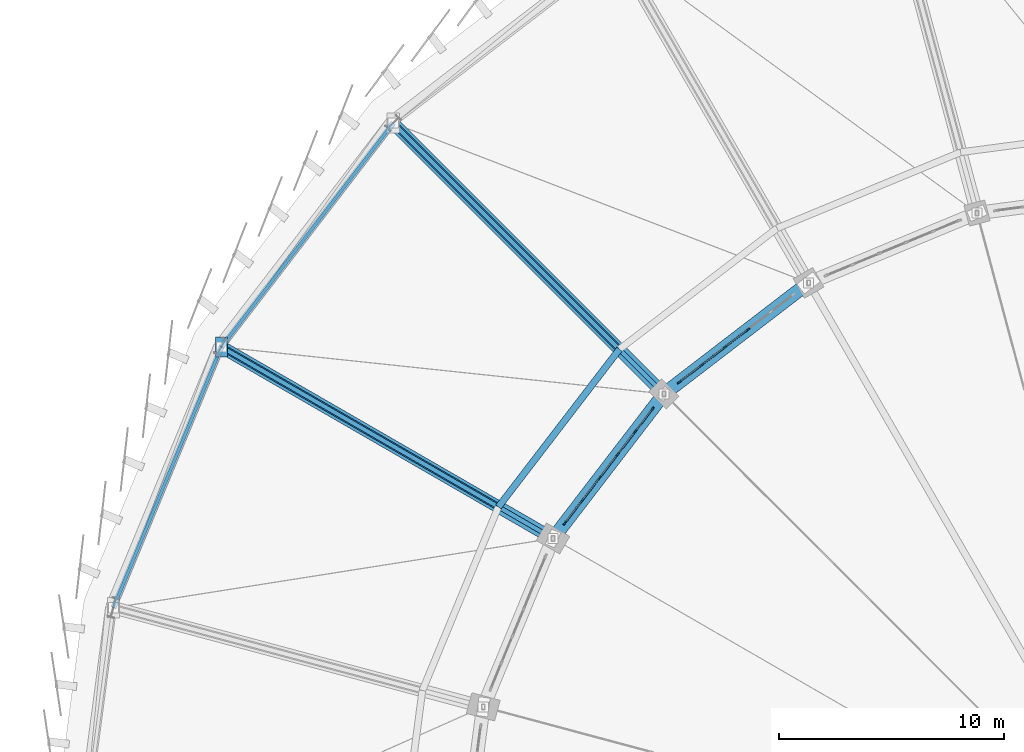
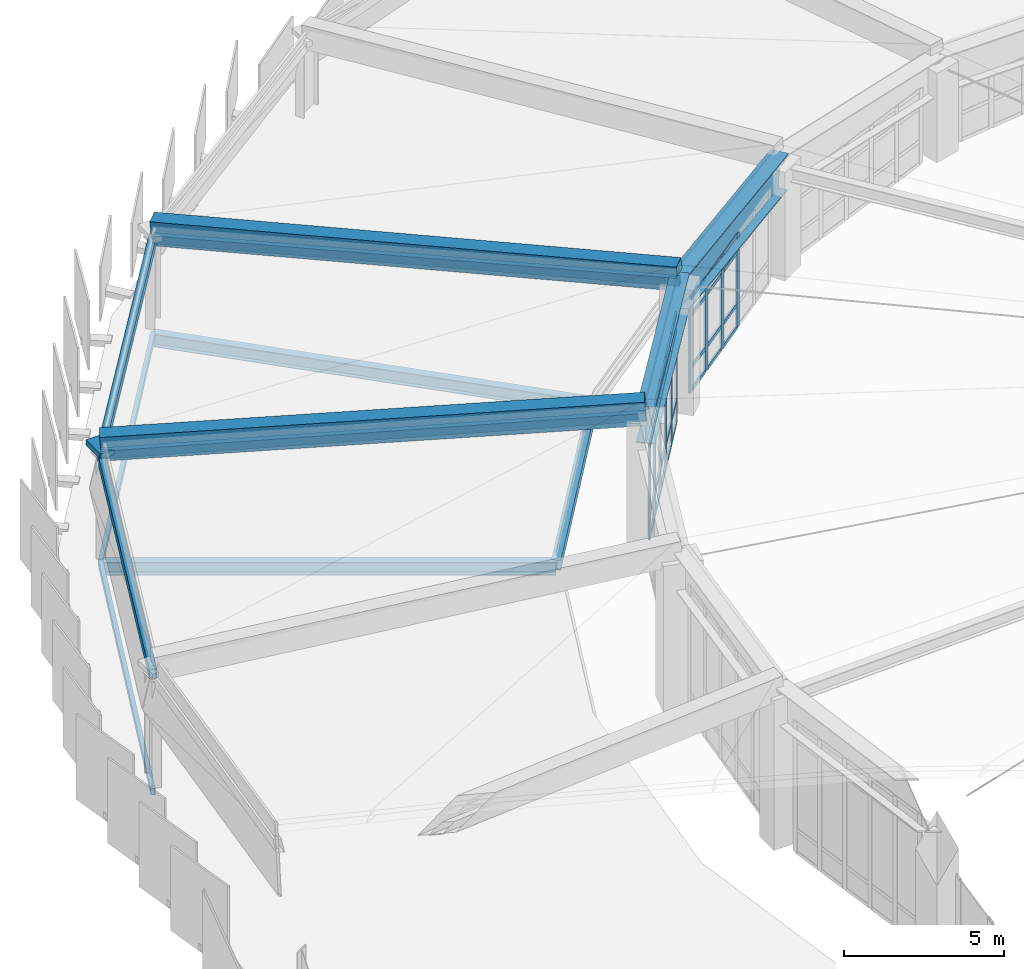
# One storey, part 32 of 68: 46 members, 10 beams, 2 elements without a shape of their own.
"""IFC4 building model written with IfcOpenShell, lengths in metres."""

import ifcopenshell
import ifcopenshell.guid

model = None  # the IFC model being written
_history = None  # IfcOwnerHistory: only IFC2X3 demands one
_inside = {}  # id of a spatial element -> (the spatial element, [elements in it])
_under = {}  # id of a project, library or spatial element -> (it, [spatial elements below it])
_declared = {}  # id of a project -> (the project, [libraries it declares])
_typed = {}  # id of a type object -> (the type object, [elements of that type])
_made_of = {}  # id of a material, layer set ... -> (it, [elements and type objects made of it])


def new_model(schema):
    """Start an empty IFC model of exactly this schema.

    Asked for "IFC4X3", IfcOpenShell would pick the latest addendum, in which some entities
    have other attributes; the version numbers below select the first issue.
    IFC2X3 requires an IfcOwnerHistory on every rooted entity: one is made here for all.
    """
    global model, _history
    if schema == "IFC4X3":
        model = ifcopenshell.file(schema_version=(4, 3, 0, 0))
    else:
        model = ifcopenshell.file(schema=schema)
    _inside.clear()
    _under.clear()
    _declared.clear()
    _typed.clear()
    _made_of.clear()
    _history = None
    if model.schema == "IFC2X3":
        org = make("IfcOrganization", Name="unknown")
        user = make(
            "IfcPersonAndOrganization",
            ThePerson=make("IfcPerson", FamilyName="unknown"),
            TheOrganization=org,
        )
        app = make(
            "IfcApplication",
            ApplicationDeveloper=org,
            Version="unknown",
            ApplicationFullName="unknown",
            ApplicationIdentifier="unknown",
        )
        _history = make(
            "IfcOwnerHistory",
            OwningUser=user,
            OwningApplication=app,
            ChangeAction="ADDED",
            CreationDate=0,
        )
    return model


def make(cls, **values):
    """One entity of the class cls with the attributes given. An attribute that is None is left unset."""
    return model.create_entity(
        cls, **{name: value for name, value in values.items() if value is not None}
    )


def rooted(cls, **values):
    """An entity with a GlobalId (a new one), such as an element, a storey or a relation."""
    return make(cls, GlobalId=ifcopenshell.guid.new(), OwnerHistory=_history, **values)


def si_unit(unit_type, name, prefix=None):
    """IfcSIUnit, for example si_unit("LENGTHUNIT", "METRE", prefix="MILLI")."""
    return make("IfcSIUnit", UnitType=unit_type, Prefix=prefix, Name=name)


def assignment(units):
    """IfcUnitAssignment: the units of a project."""
    return None if units is None else make("IfcUnitAssignment", Units=units)


def point(xyz):
    """IfcCartesianPoint."""
    return None if xyz is None else make("IfcCartesianPoint", Coordinates=xyz)


def direction(xyz):
    """IfcDirection."""
    return None if xyz is None else make("IfcDirection", DirectionRatios=xyz)


def frame(location, z_axis=None, x_axis=None):
    """IfcAxis2Placement3D, a coordinate frame: its origin and axes. An axis left out is left unset."""
    return make(
        "IfcAxis2Placement3D",
        Location=point(location),
        Axis=direction(z_axis),
        RefDirection=direction(x_axis),
    )


def frame_2d(location, x_axis=None):
    """IfcAxis2Placement2D, a coordinate frame in the plane: its origin and x axis."""
    return make(
        "IfcAxis2Placement2D", Location=point(location), RefDirection=direction(x_axis)
    )


def origin():
    """The frame at (0, 0, 0) with its axes left unset."""
    return frame((0.0, 0.0, 0.0))


def origin_2d():
    """The frame at (0, 0) in the plane with its x axis left unset."""
    return frame_2d((0.0, 0.0))


def place(relative_to, where):
    """IfcLocalPlacement: puts the frame where relative to a parent placement (None: the world)."""
    return make(
        "IfcLocalPlacement", PlacementRelTo=relative_to, RelativePlacement=where
    )


def context(
    kind, dimensions, precision=None, world=None, true_north=None, identifier=None
):
    """IfcGeometricRepresentationContext, for example the 3D "Model" context."""
    return make(
        "IfcGeometricRepresentationContext",
        ContextIdentifier=identifier,
        ContextType=kind,
        CoordinateSpaceDimension=dimensions,
        Precision=precision,
        WorldCoordinateSystem=world,
        TrueNorth=true_north,
    )


def subcontext(parent, identifier, kind, view, scale=None):
    """IfcGeometricRepresentationSubContext, for example "Body" below "Model"."""
    return make(
        "IfcGeometricRepresentationSubContext",
        ContextIdentifier=identifier,
        ContextType=kind,
        ParentContext=parent,
        TargetScale=scale,
        TargetView=view,
    )


def project(units=None, contexts=None):
    """IfcProject with its units and contexts."""
    return rooted(
        "IfcProject",
        Name="project",
        RepresentationContexts=contexts,
        UnitsInContext=assignment(units),
    )


def spatial(cls, under=None, at=None, **own):
    """A site, building, storey or space (cls), placed at a placement, below another one or the project."""
    s = rooted(cls, ObjectPlacement=at, **own)
    if under is not None:
        _under.setdefault(under.id(), (under, []))[1].append(s)
    return s


def profile(cls, at=None, kind="AREA", **sizes):
    """A parametric profile (cls). Its sizes go by their IFC names, for example OverallWidth=200.0."""
    return make(cls, ProfileType=kind, Position=at, **sizes)


def rectangle(**sizes):
    """IfcRectangleProfileDef."""
    return profile("IfcRectangleProfileDef", **sizes)


def hollow_rectangle(**sizes):
    """IfcRectangleHollowProfileDef."""
    return profile("IfcRectangleHollowProfileDef", **sizes)


def i_section(**sizes):
    """IfcIShapeProfileDef."""
    return profile("IfcIShapeProfileDef", **sizes)


def extrude(swept, where, along, depth):
    """IfcExtrudedAreaSolid: the profile swept, set in the frame where, extruded along a direction by depth."""
    return make(
        "IfcExtrudedAreaSolid",
        SweptArea=swept,
        Position=where,
        ExtrudedDirection=direction(along),
        Depth=depth,
    )


def shape(context_of_items, identifier, shape_type, items):
    """IfcShapeRepresentation: the items that make up one representation, for example the "Body"."""
    return make(
        "IfcShapeRepresentation",
        ContextOfItems=context_of_items,
        RepresentationIdentifier=identifier,
        RepresentationType=shape_type,
        Items=items,
    )


def material(Name=None, Category=None):
    """IfcMaterial."""
    return make("IfcMaterial", Name=Name, Category=Category)


def layer(
    of_material, thickness, ventilated=None, Name=None, Category=None, Priority=None
):
    """IfcMaterialLayer: one layer of a wall or slab, of a material (None: an air gap)."""
    return make(
        "IfcMaterialLayer",
        Material=of_material,
        LayerThickness=thickness,
        IsVentilated=ventilated,
        Name=Name,
        Category=Category,
        Priority=Priority,
    )


def layer_set(layers, Name=None):
    """IfcMaterialLayerSet."""
    return make("IfcMaterialLayerSet", MaterialLayers=layers, LayerSetName=Name)


def material_profile(
    of_material, cross_section, Name=None, Category=None, Priority=None
):
    """IfcMaterialProfile: a cross section and its material."""
    return make(
        "IfcMaterialProfile",
        Name=Name,
        Material=of_material,
        Profile=cross_section,
        Priority=Priority,
        Category=Category,
    )


def profile_set(profiles, Name=None, composite=None):
    """IfcMaterialProfileSet."""
    return make(
        "IfcMaterialProfileSet",
        Name=Name,
        MaterialProfiles=profiles,
        CompositeProfile=composite,
    )


def made_of(thing, what):
    """Note that an element or type object is made of a material, layer set ...; save() writes the relation."""
    if what is not None:
        _made_of.setdefault(what.id(), (what, []))[1].append(thing)
    return thing


def type_object(cls, material=None, **own):
    """A type object (cls), such as IfcWallType, which elements share."""
    return made_of(rooted(cls, **own), material)


def element(
    cls,
    number,
    at=None,
    inside=None,
    cuts=None,
    type_object=None,
    material=None,
    context=None,
    identifier="Body",
    shape_type=None,
    held_by="IfcProductDefinitionShape",
    body=None,
    shapes=None,
    **own,
):
    """One element of the class cls, such as IfcWall. Its Tag is "e" and its number.

    at: its placement. inside: the storey or other place that contains it. cuts: it is an
    opening in that element (IfcRelVoidsElement). A single representation is given by context,
    identifier, shape_type and body (its items); several are given by shapes. held_by: the class
    of the entity that holds the representations. save() writes the other relations.
    """
    e = rooted(cls, Tag="e%d" % number, ObjectPlacement=at, **own)
    if body is not None:
        shapes = [shape(context, identifier, shape_type, body)]
    if shapes is not None:
        e.Representation = make(held_by, Representations=shapes)
    if inside is not None:
        _inside.setdefault(inside.id(), (inside, []))[1].append(e)
    if cuts is not None:
        rooted(
            "IfcRelVoidsElement", RelatingBuildingElement=cuts, RelatedOpeningElement=e
        )
    if type_object is not None:
        _typed.setdefault(type_object.id(), (type_object, []))[1].append(e)
    return made_of(e, material)


def aggregate(whole, parts):
    """IfcRelAggregates: a whole, such as a stair, and the parts it consists of."""
    return rooted("IfcRelAggregates", RelatingObject=whole, RelatedObjects=parts)


def save(model, path):
    """Write the relations noted so far, then the file.

    IfcRelAggregates (storeys below a building ...), IfcRelContainedInSpatialStructure (elements
    in a storey), IfcRelDefinesByType, IfcRelAssociatesMaterial and IfcRelDeclares: one each for
    every whole, place, type object, material and project.
    """
    for whole, parts in _under.values():
        aggregate(whole, parts)
    for where, things in _inside.values():
        rooted(
            "IfcRelContainedInSpatialStructure",
            RelatedElements=things,
            RelatingStructure=where,
        )
    for kind, things in _typed.values():
        rooted("IfcRelDefinesByType", RelatedObjects=things, RelatingType=kind)
    for what, things in _made_of.values():
        rooted("IfcRelAssociatesMaterial", RelatedObjects=things, RelatingMaterial=what)
    for by, libraries in _declared.values():
        rooted("IfcRelDeclares", RelatingContext=by, RelatedDefinitions=libraries)
    model.write(path)


model = new_model("IFC4")

# Units and contexts
model_context = context("Model", 3, precision=1e-05, world=origin(), true_north=direction((0.0, 1.0)))
body_context = subcontext(model_context, "Body", "Model", "MODEL_VIEW")
ifc_project = project(units=[si_unit("LENGTHUNIT", "METRE"), si_unit("AREAUNIT", "SQUARE_METRE"), si_unit("VOLUMEUNIT", "CUBIC_METRE"), si_unit("PLANEANGLEUNIT", "RADIAN"), si_unit("MASSUNIT", "GRAM", prefix="KILO")], contexts=[model_context])

# Site, building, storey
site_placement = place(None, origin())
site = spatial("IfcSite", under=ifc_project, at=site_placement, CompositionType="ELEMENT")
building_placement = place(site_placement, origin())
building = spatial("IfcBuilding", under=site, at=building_placement, Name="Sohan Crest Arena", CompositionType="ELEMENT")
storey_placement = place(building_placement, frame((0.0, 0.0, 27.0)))
storey = spatial("IfcBuildingStorey", under=building, at=storey_placement, Name="RF", CompositionType="ELEMENT", Elevation=27.0)

# Curtain wall, members
ifc_material_1 = material(Name="Thermally broken anodised aluminium", Category="aluminium")
ifc_layer = layer(ifc_material_1, 0.18994140625, Name="Thermally broken anodised aluminium")
ifc_layer_set = layer_set([ifc_layer], Name="Thermally broken anodised aluminium")
curtain_wall_type = type_object("IfcCurtainWallType", Name="ARC-CW05", PredefinedType="NOTDEFINED", material=ifc_layer_set)
curtain_wall_1_placement = place(storey_placement, origin())
curtain_wall_1 = element("IfcCurtainWall", 1, at=curtain_wall_1_placement, inside=storey, type_object=curtain_wall_type, Name="Unitised curtain wall CW-169", PredefinedType="NOTDEFINED")
ifc_material_profile_1 = material_profile(ifc_material_1, rectangle(XDim=0.070068359375, YDim=0.199951171875, at=origin_2d()), Name="ALU-MULL 70x200")
ifc_profile_set_1 = profile_set([ifc_material_profile_1], Name="Thermally broken anodised aluminium")
member_type_1 = type_object("IfcMemberType", Name="ARC-CW-ML03", PredefinedType="MULLION", material=ifc_profile_set_1)
member_1_placement = place(storey_placement, frame((79.8017578125, 102.7763671875, 0.0), z_axis=(0.0, 0.0, 1.0), x_axis=(0.608939000248, -0.793217053508, 0.0)))
member_1 = element("IfcMember", 2, at=member_1_placement, type_object=member_type_1, Name="CW-169 mullion 3", PredefinedType="MULLION", context=body_context, shape_type="SweptSolid", body=[
    extrude(rectangle(XDim=0.070068359375, YDim=0.199951171875, at=origin_2d()), origin(), (0.0, 0.0, 1.0), 3.5830078125),
])
member_2_placement = place(storey_placement, frame((78.7783203125, 101.990478515625, 0.0), z_axis=(0.0, 0.0, 1.0), x_axis=(0.608939000248, -0.793217053508, 0.0)))
member_2 = element("IfcMember", 3, at=member_2_placement, type_object=member_type_1, Name="CW-169 mullion 4", PredefinedType="MULLION", context=body_context, shape_type="SweptSolid", body=[
    extrude(rectangle(XDim=0.070068359375, YDim=0.199951171875, at=origin_2d()), origin(), (0.0, 0.0, 1.0), 3.5830078125),
])
member_3_placement = place(storey_placement, frame((77.754638671875, 101.204833984375, 0.0), z_axis=(0.0, 0.0, 1.0), x_axis=(0.608939000248, -0.793217053508, 0.0)))
member_3 = element("IfcMember", 4, at=member_3_placement, type_object=member_type_1, Name="CW-169 mullion 5", PredefinedType="MULLION", context=body_context, shape_type="SweptSolid", body=[
    extrude(rectangle(XDim=0.070068359375, YDim=0.199951171875, at=origin_2d()), origin(), (0.0, 0.0, 1.0), 3.5830078125),
])
member_4_placement = place(storey_placement, frame((76.7587890625, 100.4404296875, 0.0), z_axis=(0.0, 0.0, 1.0), x_axis=(0.608939000248, -0.793217053508, 0.0)))
member_4 = element("IfcMember", 5, at=member_4_placement, type_object=member_type_1, Name="CW-169 mullion 6", PredefinedType="MULLION", context=body_context, shape_type="SweptSolid", body=[
    extrude(rectangle(XDim=0.070068359375, YDim=0.199951171875, at=origin_2d()), origin(), (0.0, 0.0, 1.0), 3.5830078125),
])

curtain_wall_2_placement = place(storey_placement, origin())
curtain_wall_2 = element("IfcCurtainWall", 6, at=curtain_wall_2_placement, inside=storey, type_object=curtain_wall_type, Name="Unitised curtain wall CW-171", PredefinedType="NOTDEFINED")
member_5_placement = place(storey_placement, frame((75.5595703125, 99.2412109375, 0.0), z_axis=(0.0, 0.0, 1.0), x_axis=(0.793217053508, -0.608939000248, 0.0)))
member_5 = element("IfcMember", 7, at=member_5_placement, type_object=member_type_1, Name="CW-171 mullion 1", PredefinedType="MULLION", context=body_context, shape_type="SweptSolid", body=[
    extrude(rectangle(XDim=0.070068359375, YDim=0.199951171875, at=origin_2d()), origin(), (0.0, 0.0, 1.0), 4.20703125),
])
member_6_placement = place(storey_placement, frame((74.795166015625, 98.245361328125, 0.0), z_axis=(0.0, 0.0, 1.0), x_axis=(0.793217053508, -0.608939000248, 0.0)))
member_6 = element("IfcMember", 8, at=member_6_placement, type_object=member_type_1, Name="CW-171 mullion 2", PredefinedType="MULLION", context=body_context, shape_type="SweptSolid", body=[
    extrude(rectangle(XDim=0.070068359375, YDim=0.199951171875, at=origin_2d()), origin(), (0.0, 0.0, 1.0), 4.20703125),
])
member_7_placement = place(storey_placement, frame((74.009521484375, 97.2216796875, 0.0), z_axis=(0.0, 0.0, 1.0), x_axis=(0.793217053508, -0.608939000248, 0.0)))
member_7 = element("IfcMember", 9, at=member_7_placement, type_object=member_type_1, Name="CW-171 mullion 3", PredefinedType="MULLION", context=body_context, shape_type="SweptSolid", body=[
    extrude(rectangle(XDim=0.070068359375, YDim=0.199951171875, at=origin_2d()), origin(), (0.0, 0.0, 1.0), 4.20703125),
])
member_8_placement = place(storey_placement, frame((73.2236328125, 96.1982421875, 0.0), z_axis=(0.0, 0.0, 1.0), x_axis=(0.793217053508, -0.608939000248, 0.0)))
member_8 = element("IfcMember", 10, at=member_8_placement, type_object=member_type_1, Name="CW-171 mullion 4", PredefinedType="MULLION", context=body_context, shape_type="SweptSolid", body=[
    extrude(rectangle(XDim=0.070068359375, YDim=0.199951171875, at=origin_2d()), origin(), (0.0, 0.0, 1.0), 4.20703125),
])
member_9_placement = place(storey_placement, frame((72.437744140625, 95.174560546875, 0.0), z_axis=(0.0, 0.0, 1.0), x_axis=(0.793217053508, -0.608939000248, 0.0)))
member_9 = element("IfcMember", 11, at=member_9_placement, type_object=member_type_1, Name="CW-171 mullion 5", PredefinedType="MULLION", context=body_context, shape_type="SweptSolid", body=[
    extrude(rectangle(XDim=0.070068359375, YDim=0.199951171875, at=origin_2d()), origin(), (0.0, 0.0, 1.0), 4.20703125),
])
member_10_placement = place(storey_placement, frame((71.67333984375, 94.1787109375, 0.0), z_axis=(0.0, 0.0, 1.0), x_axis=(0.793217053508, -0.608939000248, 0.0)))
member_10 = element("IfcMember", 12, at=member_10_placement, type_object=member_type_1, Name="CW-171 mullion 6", PredefinedType="MULLION", context=body_context, shape_type="SweptSolid", body=[
    extrude(rectangle(XDim=0.070068359375, YDim=0.199951171875, at=origin_2d()), origin(), (0.0, 0.0, 1.0), 4.20703125),
])

# Member
ifc_material_profile_2 = material_profile(ifc_material_1, rectangle(XDim=0.06494140625, YDim=0.139892578125, at=origin_2d()), Name="ALU-TRAN 65x140")
ifc_profile_set_2 = profile_set([ifc_material_profile_2], Name="Thermally broken anodised aluminium")
member_type_2 = type_object("IfcMemberType", Name="ARC-CW-TR02", PredefinedType="USERDEFINED", material=ifc_profile_set_2)
member_11_placement = place(storey_placement, frame((79.77392578125, 102.755126953125, 0.032470703125), z_axis=(-0.793203705004, -0.608956387903, 0.0), x_axis=(0.608956387903, -0.793203705004, 0.0)))
member_11 = element("IfcMember", 13, at=member_11_placement, type_object=member_type_2, Name="CW-169 transom 3.1", ObjectType="TRANSOM", PredefinedType="USERDEFINED", context=body_context, shape_type="SweptSolid", body=[
    extrude(rectangle(XDim=0.06494140625, YDim=0.139892578125, at=origin_2d()), origin(), (0.0, 0.0, 1.0), 1.220458984375),
])

member_12_placement = place(storey_placement, frame((79.77392578125, 102.755126953125, 0.89990234375), z_axis=(-0.793203705004, -0.608956387903, 0.0), x_axis=(0.608956387903, -0.793203705004, 0.0)))
member_12 = element("IfcMember", 14, at=member_12_placement, type_object=member_type_2, Name="CW-169 transom 3.2", ObjectType="TRANSOM", PredefinedType="USERDEFINED", context=body_context, shape_type="SweptSolid", body=[
    extrude(rectangle(XDim=0.06494140625, YDim=0.139892578125, at=origin_2d()), origin(), (0.0, 0.0, 1.0), 1.220458984375),
])

member_13_placement = place(storey_placement, frame((79.77392578125, 102.755126953125, 2.883056640625), z_axis=(-0.793203705004, -0.608956387903, 0.0), x_axis=(0.608956387903, -0.793203705004, 0.0)))
member_13 = element("IfcMember", 15, at=member_13_placement, type_object=member_type_2, Name="CW-169 transom 3.3", ObjectType="TRANSOM", PredefinedType="USERDEFINED", context=body_context, shape_type="SweptSolid", body=[
    extrude(rectangle(XDim=0.06494140625, YDim=0.139892578125, at=origin_2d()), origin(), (0.0, 0.0, 1.0), 1.220458984375),
])

member_14_placement = place(storey_placement, frame((79.77392578125, 102.755126953125, 3.550537109375), z_axis=(-0.793203705004, -0.608956387903, 0.0), x_axis=(0.608956387903, -0.793203705004, 0.0)))
member_14 = element("IfcMember", 16, at=member_14_placement, type_object=member_type_2, Name="CW-169 transom 3.4", ObjectType="TRANSOM", PredefinedType="USERDEFINED", context=body_context, shape_type="SweptSolid", body=[
    extrude(rectangle(XDim=0.06494140625, YDim=0.139892578125, at=origin_2d()), origin(), (0.0, 0.0, 1.0), 1.220458984375),
])

member_15_placement = place(storey_placement, frame((78.75048828125, 101.96923828125, 0.032470703125), z_axis=(-0.793203705004, -0.608956387903, 0.0), x_axis=(0.608956387903, -0.793203705004, 0.0)))
member_15 = element("IfcMember", 17, at=member_15_placement, type_object=member_type_2, Name="CW-169 transom 4.1", ObjectType="TRANSOM", PredefinedType="USERDEFINED", context=body_context, shape_type="SweptSolid", body=[
    extrude(rectangle(XDim=0.06494140625, YDim=0.139892578125, at=origin_2d()), origin(), (0.0, 0.0, 1.0), 1.220458984375),
])

member_16_placement = place(storey_placement, frame((78.75048828125, 101.96923828125, 0.89990234375), z_axis=(-0.793203705004, -0.608956387903, 0.0), x_axis=(0.608956387903, -0.793203705004, 0.0)))
member_16 = element("IfcMember", 18, at=member_16_placement, type_object=member_type_2, Name="CW-169 transom 4.2", ObjectType="TRANSOM", PredefinedType="USERDEFINED", context=body_context, shape_type="SweptSolid", body=[
    extrude(rectangle(XDim=0.06494140625, YDim=0.139892578125, at=origin_2d()), origin(), (0.0, 0.0, 1.0), 1.220458984375),
])

member_17_placement = place(storey_placement, frame((78.75048828125, 101.96923828125, 2.883056640625), z_axis=(-0.793203705004, -0.608956387903, 0.0), x_axis=(0.608956387903, -0.793203705004, 0.0)))
member_17 = element("IfcMember", 19, at=member_17_placement, type_object=member_type_2, Name="CW-169 transom 4.3", ObjectType="TRANSOM", PredefinedType="USERDEFINED", context=body_context, shape_type="SweptSolid", body=[
    extrude(rectangle(XDim=0.06494140625, YDim=0.139892578125, at=origin_2d()), origin(), (0.0, 0.0, 1.0), 1.220458984375),
])

member_18_placement = place(storey_placement, frame((78.75048828125, 101.96923828125, 3.550537109375), z_axis=(-0.793203705004, -0.608956387903, 0.0), x_axis=(0.608956387903, -0.793203705004, 0.0)))
member_18 = element("IfcMember", 20, at=member_18_placement, type_object=member_type_2, Name="CW-169 transom 4.4", ObjectType="TRANSOM", PredefinedType="USERDEFINED", context=body_context, shape_type="SweptSolid", body=[
    extrude(rectangle(XDim=0.06494140625, YDim=0.139892578125, at=origin_2d()), origin(), (0.0, 0.0, 1.0), 1.220458984375),
])

member_19_placement = place(storey_placement, frame((77.726806640625, 101.18359375, 0.032470703125), z_axis=(-0.793151990467, -0.609023743394, 0.0), x_axis=(0.609023743394, -0.793151990467, 0.0)))
member_19 = element("IfcMember", 21, at=member_19_placement, type_object=member_type_2, Name="CW-169 transom 5.1", ObjectType="TRANSOM", PredefinedType="USERDEFINED", context=body_context, shape_type="SweptSolid", body=[
    extrude(rectangle(XDim=0.06494140625, YDim=0.139892578125, at=origin_2d()), origin(), (0.0, 0.0, 1.0), 1.185302734375),
])

member_20_placement = place(storey_placement, frame((77.726806640625, 101.18359375, 0.89990234375), z_axis=(-0.793151990467, -0.609023743394, 0.0), x_axis=(0.609023743394, -0.793151990467, 0.0)))
member_20 = element("IfcMember", 22, at=member_20_placement, type_object=member_type_2, Name="CW-169 transom 5.2", ObjectType="TRANSOM", PredefinedType="USERDEFINED", context=body_context, shape_type="SweptSolid", body=[
    extrude(rectangle(XDim=0.06494140625, YDim=0.139892578125, at=origin_2d()), origin(), (0.0, 0.0, 1.0), 1.185302734375),
])

member_21_placement = place(storey_placement, frame((77.726806640625, 101.18359375, 2.883056640625), z_axis=(-0.793151990467, -0.609023743394, 0.0), x_axis=(0.609023743394, -0.793151990467, 0.0)))
member_21 = element("IfcMember", 23, at=member_21_placement, type_object=member_type_2, Name="CW-169 transom 5.3", ObjectType="TRANSOM", PredefinedType="USERDEFINED", context=body_context, shape_type="SweptSolid", body=[
    extrude(rectangle(XDim=0.06494140625, YDim=0.139892578125, at=origin_2d()), origin(), (0.0, 0.0, 1.0), 1.185302734375),
])

member_22_placement = place(storey_placement, frame((77.726806640625, 101.18359375, 3.550537109375), z_axis=(-0.793151990467, -0.609023743394, 0.0), x_axis=(0.609023743394, -0.793151990467, 0.0)))
member_22 = element("IfcMember", 24, at=member_22_placement, type_object=member_type_2, Name="CW-169 transom 5.4", ObjectType="TRANSOM", PredefinedType="USERDEFINED", context=body_context, shape_type="SweptSolid", body=[
    extrude(rectangle(XDim=0.06494140625, YDim=0.139892578125, at=origin_2d()), origin(), (0.0, 0.0, 1.0), 1.185302734375),
])

aggregate(curtain_wall_1, [member_1, member_2, member_3, member_4, member_11, member_12, member_13, member_14, member_15, member_16, member_17, member_18, member_19, member_20, member_21, member_22])

member_23_placement = place(storey_placement, frame((75.538330078125, 99.21337890625, 0.032470703125), z_axis=(-0.609023743394, -0.793151990467, 0.0), x_axis=(0.793151990467, -0.609023743394, 0.0)))
member_23 = element("IfcMember", 25, at=member_23_placement, type_object=member_type_2, Name="CW-171 transom 1.1", ObjectType="TRANSOM", PredefinedType="USERDEFINED", context=body_context, shape_type="SweptSolid", body=[
    extrude(rectangle(XDim=0.06494140625, YDim=0.139892578125, at=origin_2d()), origin(), (0.0, 0.0, 1.0), 1.185302734375),
])

member_24_placement = place(storey_placement, frame((75.538330078125, 99.21337890625, 0.89990234375), z_axis=(-0.609023743394, -0.793151990467, 0.0), x_axis=(0.793151990467, -0.609023743394, 0.0)))
member_24 = element("IfcMember", 26, at=member_24_placement, type_object=member_type_2, Name="CW-171 transom 1.2", ObjectType="TRANSOM", PredefinedType="USERDEFINED", context=body_context, shape_type="SweptSolid", body=[
    extrude(rectangle(XDim=0.06494140625, YDim=0.139892578125, at=origin_2d()), origin(), (0.0, 0.0, 1.0), 1.185302734375),
])

member_25_placement = place(storey_placement, frame((75.538330078125, 99.21337890625, 3.507080078125), z_axis=(-0.609023743394, -0.793151990467, 0.0), x_axis=(0.793151990467, -0.609023743394, 0.0)))
member_25 = element("IfcMember", 27, at=member_25_placement, type_object=member_type_2, Name="CW-171 transom 1.3", ObjectType="TRANSOM", PredefinedType="USERDEFINED", context=body_context, shape_type="SweptSolid", body=[
    extrude(rectangle(XDim=0.06494140625, YDim=0.139892578125, at=origin_2d()), origin(), (0.0, 0.0, 1.0), 1.185302734375),
])

member_26_placement = place(storey_placement, frame((75.538330078125, 99.21337890625, 4.174560546875), z_axis=(-0.609023743394, -0.793151990467, 0.0), x_axis=(0.793151990467, -0.609023743394, 0.0)))
member_26 = element("IfcMember", 28, at=member_26_placement, type_object=member_type_2, Name="CW-171 transom 1.4", ObjectType="TRANSOM", PredefinedType="USERDEFINED", context=body_context, shape_type="SweptSolid", body=[
    extrude(rectangle(XDim=0.06494140625, YDim=0.139892578125, at=origin_2d()), origin(), (0.0, 0.0, 1.0), 1.185302734375),
])

member_27_placement = place(storey_placement, frame((74.77392578125, 98.217529296875, 0.032470703125), z_axis=(-0.608956387903, -0.793203705004, 0.0), x_axis=(0.793203705004, -0.608956387903, 0.0)))
member_27 = element("IfcMember", 29, at=member_27_placement, type_object=member_type_2, Name="CW-171 transom 2.1", ObjectType="TRANSOM", PredefinedType="USERDEFINED", context=body_context, shape_type="SweptSolid", body=[
    extrude(rectangle(XDim=0.06494140625, YDim=0.139892578125, at=origin_2d()), origin(), (0.0, 0.0, 1.0), 1.220458984375),
])

member_28_placement = place(storey_placement, frame((74.77392578125, 98.217529296875, 0.89990234375), z_axis=(-0.608956387903, -0.793203705004, 0.0), x_axis=(0.793203705004, -0.608956387903, 0.0)))
member_28 = element("IfcMember", 30, at=member_28_placement, type_object=member_type_2, Name="CW-171 transom 2.2", ObjectType="TRANSOM", PredefinedType="USERDEFINED", context=body_context, shape_type="SweptSolid", body=[
    extrude(rectangle(XDim=0.06494140625, YDim=0.139892578125, at=origin_2d()), origin(), (0.0, 0.0, 1.0), 1.220458984375),
])

member_29_placement = place(storey_placement, frame((74.77392578125, 98.217529296875, 3.507080078125), z_axis=(-0.608956387903, -0.793203705004, 0.0), x_axis=(0.793203705004, -0.608956387903, 0.0)))
member_29 = element("IfcMember", 31, at=member_29_placement, type_object=member_type_2, Name="CW-171 transom 2.3", ObjectType="TRANSOM", PredefinedType="USERDEFINED", context=body_context, shape_type="SweptSolid", body=[
    extrude(rectangle(XDim=0.06494140625, YDim=0.139892578125, at=origin_2d()), origin(), (0.0, 0.0, 1.0), 1.220458984375),
])

member_30_placement = place(storey_placement, frame((74.77392578125, 98.217529296875, 4.174560546875), z_axis=(-0.608956387903, -0.793203705004, 0.0), x_axis=(0.793203705004, -0.608956387903, 0.0)))
member_30 = element("IfcMember", 32, at=member_30_placement, type_object=member_type_2, Name="CW-171 transom 2.4", ObjectType="TRANSOM", PredefinedType="USERDEFINED", context=body_context, shape_type="SweptSolid", body=[
    extrude(rectangle(XDim=0.06494140625, YDim=0.139892578125, at=origin_2d()), origin(), (0.0, 0.0, 1.0), 1.220458984375),
])

member_31_placement = place(storey_placement, frame((73.988037109375, 97.194091796875, 0.032470703125), z_axis=(-0.608956387903, -0.793203705004, 0.0), x_axis=(0.793203705004, -0.608956387903, 0.0)))
member_31 = element("IfcMember", 33, at=member_31_placement, type_object=member_type_2, Name="CW-171 transom 3.1", ObjectType="TRANSOM", PredefinedType="USERDEFINED", context=body_context, shape_type="SweptSolid", body=[
    extrude(rectangle(XDim=0.06494140625, YDim=0.139892578125, at=origin_2d()), origin(), (0.0, 0.0, 1.0), 1.220458984375),
])

member_32_placement = place(storey_placement, frame((73.988037109375, 97.194091796875, 0.89990234375), z_axis=(-0.608956387903, -0.793203705004, 0.0), x_axis=(0.793203705004, -0.608956387903, 0.0)))
member_32 = element("IfcMember", 34, at=member_32_placement, type_object=member_type_2, Name="CW-171 transom 3.2", ObjectType="TRANSOM", PredefinedType="USERDEFINED", context=body_context, shape_type="SweptSolid", body=[
    extrude(rectangle(XDim=0.06494140625, YDim=0.139892578125, at=origin_2d()), origin(), (0.0, 0.0, 1.0), 1.220458984375),
])

member_33_placement = place(storey_placement, frame((73.988037109375, 97.194091796875, 3.507080078125), z_axis=(-0.608956387903, -0.793203705004, 0.0), x_axis=(0.793203705004, -0.608956387903, 0.0)))
member_33 = element("IfcMember", 35, at=member_33_placement, type_object=member_type_2, Name="CW-171 transom 3.3", ObjectType="TRANSOM", PredefinedType="USERDEFINED", context=body_context, shape_type="SweptSolid", body=[
    extrude(rectangle(XDim=0.06494140625, YDim=0.139892578125, at=origin_2d()), origin(), (0.0, 0.0, 1.0), 1.220458984375),
])

member_34_placement = place(storey_placement, frame((73.988037109375, 97.194091796875, 4.174560546875), z_axis=(-0.608956387903, -0.793203705004, 0.0), x_axis=(0.793203705004, -0.608956387903, 0.0)))
member_34 = element("IfcMember", 36, at=member_34_placement, type_object=member_type_2, Name="CW-171 transom 3.4", ObjectType="TRANSOM", PredefinedType="USERDEFINED", context=body_context, shape_type="SweptSolid", body=[
    extrude(rectangle(XDim=0.06494140625, YDim=0.139892578125, at=origin_2d()), origin(), (0.0, 0.0, 1.0), 1.220458984375),
])

member_35_placement = place(storey_placement, frame((73.202392578125, 96.17041015625, 0.032470703125), z_axis=(-0.608956387903, -0.793203705004, 0.0), x_axis=(0.793203705004, -0.608956387903, 0.0)))
member_35 = element("IfcMember", 37, at=member_35_placement, type_object=member_type_2, Name="CW-171 transom 4.1", ObjectType="TRANSOM", PredefinedType="USERDEFINED", context=body_context, shape_type="SweptSolid", body=[
    extrude(rectangle(XDim=0.06494140625, YDim=0.139892578125, at=origin_2d()), origin(), (0.0, 0.0, 1.0), 1.220458984375),
])

member_36_placement = place(storey_placement, frame((73.202392578125, 96.17041015625, 0.89990234375), z_axis=(-0.608956387903, -0.793203705004, 0.0), x_axis=(0.793203705004, -0.608956387903, 0.0)))
member_36 = element("IfcMember", 38, at=member_36_placement, type_object=member_type_2, Name="CW-171 transom 4.2", ObjectType="TRANSOM", PredefinedType="USERDEFINED", context=body_context, shape_type="SweptSolid", body=[
    extrude(rectangle(XDim=0.06494140625, YDim=0.139892578125, at=origin_2d()), origin(), (0.0, 0.0, 1.0), 1.220458984375),
])

member_37_placement = place(storey_placement, frame((73.202392578125, 96.17041015625, 3.507080078125), z_axis=(-0.608956387903, -0.793203705004, 0.0), x_axis=(0.793203705004, -0.608956387903, 0.0)))
member_37 = element("IfcMember", 39, at=member_37_placement, type_object=member_type_2, Name="CW-171 transom 4.3", ObjectType="TRANSOM", PredefinedType="USERDEFINED", context=body_context, shape_type="SweptSolid", body=[
    extrude(rectangle(XDim=0.06494140625, YDim=0.139892578125, at=origin_2d()), origin(), (0.0, 0.0, 1.0), 1.220458984375),
])

member_38_placement = place(storey_placement, frame((73.202392578125, 96.17041015625, 4.174560546875), z_axis=(-0.608956387903, -0.793203705004, 0.0), x_axis=(0.793203705004, -0.608956387903, 0.0)))
member_38 = element("IfcMember", 40, at=member_38_placement, type_object=member_type_2, Name="CW-171 transom 4.4", ObjectType="TRANSOM", PredefinedType="USERDEFINED", context=body_context, shape_type="SweptSolid", body=[
    extrude(rectangle(XDim=0.06494140625, YDim=0.139892578125, at=origin_2d()), origin(), (0.0, 0.0, 1.0), 1.220458984375),
])

member_39_placement = place(storey_placement, frame((72.41650390625, 95.146728515625, 0.032470703125), z_axis=(-0.609023743394, -0.793151990467, 0.0), x_axis=(0.793151990467, -0.609023743394, 0.0)))
member_39 = element("IfcMember", 41, at=member_39_placement, type_object=member_type_2, Name="CW-171 transom 5.1", ObjectType="TRANSOM", PredefinedType="USERDEFINED", context=body_context, shape_type="SweptSolid", body=[
    extrude(rectangle(XDim=0.06494140625, YDim=0.139892578125, at=origin_2d()), origin(), (0.0, 0.0, 1.0), 1.185302734375),
])

member_40_placement = place(storey_placement, frame((72.41650390625, 95.146728515625, 0.89990234375), z_axis=(-0.609023743394, -0.793151990467, 0.0), x_axis=(0.793151990467, -0.609023743394, 0.0)))
member_40 = element("IfcMember", 42, at=member_40_placement, type_object=member_type_2, Name="CW-171 transom 5.2", ObjectType="TRANSOM", PredefinedType="USERDEFINED", context=body_context, shape_type="SweptSolid", body=[
    extrude(rectangle(XDim=0.06494140625, YDim=0.139892578125, at=origin_2d()), origin(), (0.0, 0.0, 1.0), 1.185302734375),
])

member_41_placement = place(storey_placement, frame((72.41650390625, 95.146728515625, 3.507080078125), z_axis=(-0.609023743394, -0.793151990467, 0.0), x_axis=(0.793151990467, -0.609023743394, 0.0)))
member_41 = element("IfcMember", 43, at=member_41_placement, type_object=member_type_2, Name="CW-171 transom 5.3", ObjectType="TRANSOM", PredefinedType="USERDEFINED", context=body_context, shape_type="SweptSolid", body=[
    extrude(rectangle(XDim=0.06494140625, YDim=0.139892578125, at=origin_2d()), origin(), (0.0, 0.0, 1.0), 1.185302734375),
])

member_42_placement = place(storey_placement, frame((72.41650390625, 95.146728515625, 4.174560546875), z_axis=(-0.609023743394, -0.793151990467, 0.0), x_axis=(0.793151990467, -0.609023743394, 0.0)))
member_42 = element("IfcMember", 44, at=member_42_placement, type_object=member_type_2, Name="CW-171 transom 5.4", ObjectType="TRANSOM", PredefinedType="USERDEFINED", context=body_context, shape_type="SweptSolid", body=[
    extrude(rectangle(XDim=0.06494140625, YDim=0.139892578125, at=origin_2d()), origin(), (0.0, 0.0, 1.0), 1.185302734375),
])

aggregate(curtain_wall_2, [member_5, member_6, member_7, member_8, member_9, member_10, member_23, member_24, member_25, member_26, member_27, member_28, member_29, member_30, member_31, member_32, member_33, member_34, member_35, member_36, member_37, member_38, member_39, member_40, member_41, member_42])

# Beams
ifc_material_2 = material(Name="Steel S355", Category="steel")
ifc_material_profile_3 = material_profile(ifc_material_2, i_section(OverallWidth=0.300048828125, OverallDepth=0.389892578125, WebThickness=0.010986328125, FlangeThickness=0.01904296875, at=origin_2d()), Name="HEA 400")
ifc_profile_set_3 = profile_set([ifc_material_profile_3], Name="Steel S355")
beam_type_1 = type_object("IfcBeamType", Name="STR-BM-B09", PredefinedType="BEAM", material=ifc_profile_set_3)
beam_1_placement = place(storey_placement, frame((74.10009765625, 101.89990234375, -0.4150390625), z_axis=(-0.608817165336, -0.793310569192, 0.0), x_axis=(0.793310569192, -0.608817165336, 0.0)))
element("IfcBeam", 45, at=beam_1_placement, inside=storey, type_object=beam_type_1, Name="Structural beam RG-RF-1876", PredefinedType="BEAM", context=body_context, shape_type="SweptSolid", body=[
    extrude(i_section(OverallWidth=0.300048828125, OverallDepth=0.389892578125, WebThickness=0.010986328125, FlangeThickness=0.01904296875, at=origin_2d()), origin(), (0.0, 0.0, 1.0), 8.82373046875),
])
ifc_material_profile_4 = material_profile(ifc_material_2, i_section(OverallWidth=0.300048828125, OverallDepth=0.489990234375, WebThickness=0.011962890625, FlangeThickness=0.02294921875, at=origin_2d()), Name="HEA 500")
ifc_profile_set_4 = profile_set([ifc_material_profile_4], Name="Steel S355")
beam_type_2 = type_object("IfcBeamType", Name="STR-BM-B10", PredefinedType="BEAM", material=ifc_profile_set_4)
beam_2_placement = place(storey_placement, frame((74.10009765625, 101.89990234375, -0.465087890625), z_axis=(-0.707106781187, 0.707106781187, 0.0), x_axis=(-0.707106781187, -0.707106781187, 0.0)))
element("IfcBeam", 46, at=beam_2_placement, inside=storey, type_object=beam_type_2, Name="Structural beam RG-RF-1874", PredefinedType="BEAM", context=body_context, shape_type="SweptSolid", body=[
    extrude(i_section(OverallWidth=0.300048828125, OverallDepth=0.489990234375, WebThickness=0.011962890625, FlangeThickness=0.02294921875, at=origin_2d()), origin(), (0.0, 0.0, 1.0), 14.2001953125),
])
beam_3_placement = place(storey_placement, frame((68.72802734375, 94.89990234375, -0.465087890625), z_axis=(-0.86601465089, 0.500018624098, 0.0), x_axis=(-0.500018624098, -0.86601465089, 0.0)))
element("IfcBeam", 47, at=beam_3_placement, inside=storey, type_object=beam_type_2, Name="Structural beam RG-RF-1877", PredefinedType="BEAM", context=body_context, shape_type="SweptSolid", body=[
    extrude(i_section(OverallWidth=0.300048828125, OverallDepth=0.489990234375, WebThickness=0.011962890625, FlangeThickness=0.02294921875, at=origin_2d()), origin(), (0.0, 0.0, 1.0), 14.19970703125),
])
ifc_material_profile_5 = material_profile(ifc_material_2, i_section(OverallWidth=0.60009765625, OverallDepth=1.35009765625, WebThickness=0.02392578125, FlangeThickness=0.035888671875, at=origin_2d()), Name="PG 1350x600x24x36")
ifc_profile_set_5 = profile_set([ifc_material_profile_5], Name="Steel S355")
beam_type_3 = type_object("IfcBeamType", Name="STR-BM-RB02", PredefinedType="USERDEFINED", material=ifc_profile_set_5)
beam_4_placement = place(storey_placement, frame((82.5, 104.846923828125, 3.76806640625), z_axis=(-0.790843349246, -0.606936782443, 0.078705394166), x_axis=(0.608825408167, -0.793304243257, 0.0)))
element("IfcBeam", 48, at=beam_4_placement, inside=storey, type_object=beam_type_3, Name="Rising compression ring beam segment RB-03", ObjectType="RING BEAM", PredefinedType="USERDEFINED", context=body_context, shape_type="SweptSolid", body=[
    extrude(i_section(OverallWidth=0.60009765625, OverallDepth=1.35009765625, WebThickness=0.02392578125, FlangeThickness=0.035888671875, at=origin_2d()), origin(), (0.0, 0.0, 1.0), 8.117919921875),
])
beam_5_placement = place(storey_placement, frame((76.080078125, 99.919921875, 4.406982421875), z_axis=(-0.6076801807, -0.791812002958, 0.061307013919), x_axis=(0.793304243257, -0.608825408167, 0.0)))
element("IfcBeam", 49, at=beam_5_placement, inside=storey, type_object=beam_type_3, Name="Rising compression ring beam segment RB-04", ObjectType="RING BEAM", PredefinedType="USERDEFINED", context=body_context, shape_type="SweptSolid", body=[
    extrude(i_section(OverallWidth=0.60009765625, OverallDepth=1.35009765625, WebThickness=0.02392578125, FlangeThickness=0.035888671875, at=origin_2d()), origin(), (0.0, 0.0, 1.0), 8.10791015625),
])
ifc_material_3 = material(Name="Precast concrete C50/60", Category="concrete")
ifc_material_profile_6 = material_profile(ifc_material_3, rectangle(XDim=0.550048828125, YDim=0.89990234375, at=origin_2d()), Name="RAKER 550x900")
ifc_profile_set_6 = profile_set([ifc_material_profile_6], Name="Precast concrete C50/60")
beam_type_4 = type_object("IfcBeamType", Name="STR-BM-RK01", PredefinedType="USERDEFINED", material=ifc_profile_set_6)
beam_6_placement = place(storey_placement, frame((76.080078125, 99.919921875, 5.027099609375), z_axis=(-0.704887429771, 0.704887429771, -0.079167055661), x_axis=(-0.707106781187, -0.707106781187, 0.0)))
element("IfcBeam", 50, at=beam_6_placement, inside=storey, type_object=beam_type_4, Name="Perimeter radial apron raker RKB-04", ObjectType="RAKER", PredefinedType="USERDEFINED", context=body_context, shape_type="SweptSolid", body=[
    extrude(rectangle(XDim=0.550048828125, YDim=0.89990234375, at=origin_2d()), origin(), (0.0, 0.0, 1.0), 17.0537109375),
])
beam_7_placement = place(storey_placement, frame((71.153076171875, 93.5, 5.52392578125), z_axis=(-0.863304220069, 0.498437858213, -0.079155070027), x_axis=(-0.500006721848, -0.866021522889, 0.0)))
element("IfcBeam", 51, at=beam_7_placement, inside=storey, type_object=beam_type_4, Name="Perimeter radial apron raker RKB-05", ObjectType="RAKER", PredefinedType="USERDEFINED", context=body_context, shape_type="SweptSolid", body=[
    extrude(rectangle(XDim=0.550048828125, YDim=0.89990234375, at=origin_2d()), origin(), (0.0, 0.0, 1.0), 17.05322265625),
])
beam_8_placement = place(storey_placement, frame((56.430908203125, 102.0, 4.174072265625), z_axis=(0.0, 0.0, -1.0), x_axis=(1.0, 0.0, 0.0)))
element("IfcBeam", 52, at=beam_8_placement, inside=storey, type_object=beam_type_4, Name="Perimeter cantilever nose bracket RKC-05", ObjectType="RAKER", PredefinedType="USERDEFINED", context=body_context, shape_type="SweptSolid", body=[
    extrude(rectangle(XDim=0.550048828125, YDim=0.89990234375, at=origin_2d()), origin(), (0.0, 0.0, 1.0), 0.199951171875),
])
ifc_material_profile_7 = material_profile(ifc_material_2, hollow_rectangle(XDim=0.14990234375, YDim=0.25, WallThickness=0.010009765625, at=origin_2d()), Name="RHS 250x150x10")
ifc_profile_set_7 = profile_set([ifc_material_profile_7], Name="Steel S355")
beam_type_5 = type_object("IfcBeamType", Name="STR-BM-SP02", PredefinedType="SPANDREL", material=ifc_profile_set_7)
for number, where, z_axis, x_axis, name in (
    (53, (64.05908203125, 111.94091796875, -0.344970703125), (-0.608773443368, -0.793344121205, 0.0), (0.793344121205, -0.608773443368, 0.0), "Structural beam SP-RF-1875"),
    (54, (56.430908203125, 102.0, -0.344970703125), (-0.382656941645, -0.923890504882, 0.0), (0.923890504882, -0.382656941645, 0.0), "Structural beam SP-RF-1878"),
):
    element("IfcBeam", number, at=place(storey_placement, frame(where, z_axis=z_axis, x_axis=x_axis)), inside=storey, type_object=beam_type_5, Name=name, PredefinedType="SPANDREL", context=body_context, shape_type="SweptSolid", body=[
        extrude(hollow_rectangle(XDim=0.14990234375, YDim=0.25, WallThickness=0.010009765625, at=origin_2d()), origin(), (0.0, 0.0, 1.0), 12.530517578125),
    ])

# Members
ifc_material_profile_8 = material_profile(ifc_material_2, hollow_rectangle(XDim=0.199951171875, YDim=0.300048828125, WallThickness=0.010009765625, at=origin_2d()), Name="RHS 300x200x10")
ifc_profile_set_8 = profile_set([ifc_material_profile_8], Name="Steel S355")
member_type_3 = type_object("IfcMemberType", Name="STR-MEM-CH03", PredefinedType="CHORD", material=ifc_profile_set_8)
member_43_placement = place(storey_placement, frame((76.080078125, 99.919921875, 4.777099609375), z_axis=(-0.704547990584, 0.704547990584, -0.084995634755), x_axis=(-0.707106781187, -0.707106781187, 0.0)))
element("IfcMember", 55, at=member_43_placement, inside=storey, type_object=member_type_3, Name="Outer roof-edge radial tie chord ORT-04", PredefinedType="CHORD", context=body_context, shape_type="SweptSolid", body=[
    extrude(hollow_rectangle(XDim=0.199951171875, YDim=0.300048828125, WallThickness=0.010009765625, at=origin_2d()), origin(), (0.0, 0.0, 1.0), 17.06201171875),
])
member_44_placement = place(storey_placement, frame((71.153076171875, 93.5, 5.27392578125), z_axis=(-0.862888543113, 0.498197862708, -0.084983832336), x_axis=(-0.500006721848, -0.866021522889, 0.0)))
element("IfcMember", 56, at=member_44_placement, inside=storey, type_object=member_type_3, Name="Outer roof-edge radial tie chord ORT-05", PredefinedType="CHORD", context=body_context, shape_type="SweptSolid", body=[
    extrude(hollow_rectangle(XDim=0.199951171875, YDim=0.300048828125, WallThickness=0.010009765625, at=origin_2d()), origin(), (0.0, 0.0, 1.0), 17.0615234375),
])
ifc_material_profile_9 = material_profile(ifc_material_2, hollow_rectangle(XDim=0.25, YDim=0.35009765625, WallThickness=0.012451171875, at=origin_2d()), Name="RHS 350x250x12.5")
ifc_profile_set_9 = profile_set([ifc_material_profile_9], Name="Steel S355")
member_type_4 = type_object("IfcMemberType", Name="STR-MEM-CH04", PredefinedType="CHORD", material=ifc_profile_set_9)
member_45_placement = place(storey_placement, frame((64.05908203125, 111.94091796875, 3.326904296875), z_axis=(-0.60829501228, -0.792720637223, 0.039637978717), x_axis=(0.793344121205, -0.608773443368, 0.0)))
element("IfcMember", 57, at=member_45_placement, inside=storey, type_object=member_type_4, Name="Outer roof-edge truss chord ORB-04", PredefinedType="CHORD", context=body_context, shape_type="SweptSolid", body=[
    extrude(hollow_rectangle(XDim=0.25, YDim=0.35009765625, WallThickness=0.012451171875, at=origin_2d()), origin(), (0.0, 0.0, 1.0), 12.540283203125),
])
member_46_placement = place(storey_placement, frame((56.430908203125, 102.0, 3.823974609375), z_axis=(-0.382536135356, -0.923598829044, 0.025125845958), x_axis=(0.923890504882, -0.382656941645, 0.0)))
element("IfcMember", 58, at=member_46_placement, inside=storey, type_object=member_type_4, Name="Outer roof-edge truss chord ORB-05", PredefinedType="CHORD", context=body_context, shape_type="SweptSolid", body=[
    extrude(hollow_rectangle(XDim=0.25, YDim=0.35009765625, WallThickness=0.012451171875, at=origin_2d()), origin(), (0.0, 0.0, 1.0), 12.53466796875),
])

save(model, "model.ifc")
